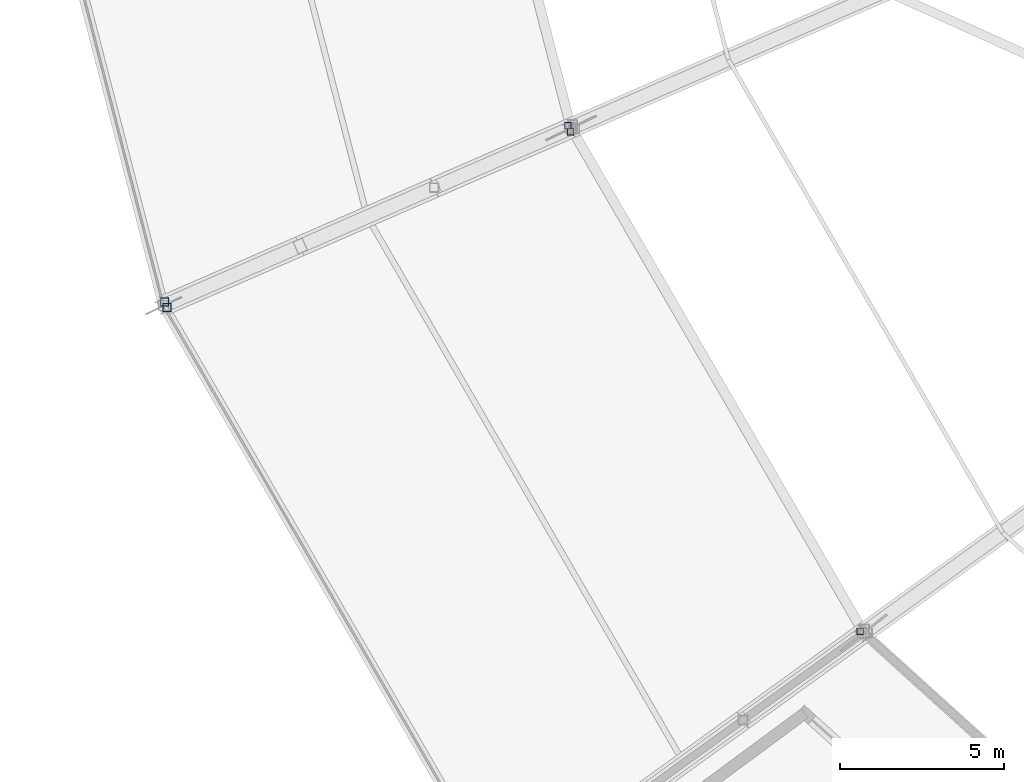
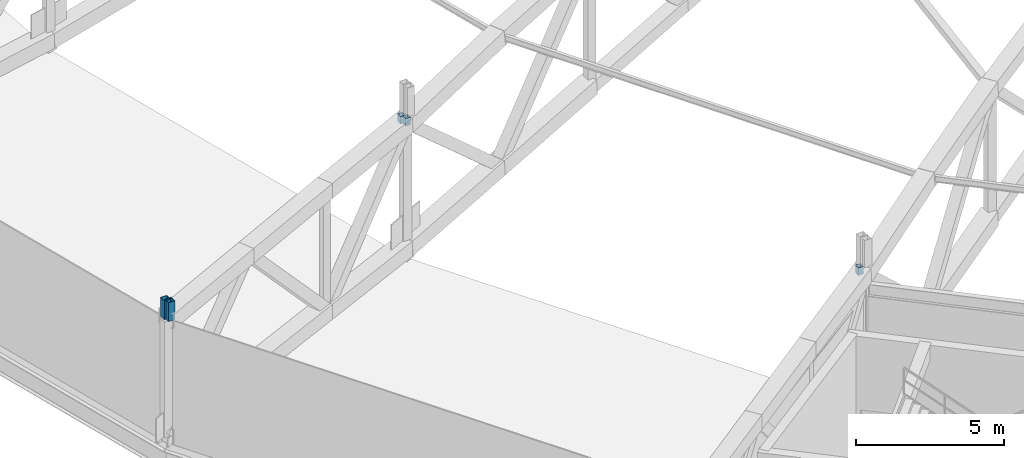
# One storey, part 93 of 162: 5 members.
"""IFC4 building model written with IfcOpenShell, lengths in metres."""

from ifc_helpers import new_model, si_unit, direction, frame, origin, origin_2d, place, context, subcontext, project, spatial, hollow_rectangle, extrude, material, material_profile, profile_set, type_object, element, save


model = new_model("IFC4")

# Units and contexts
model_context = context("Model", 3, precision=1e-05, world=origin(), true_north=direction((0.0, 1.0)))
body_context = subcontext(model_context, "Body", "Model", "MODEL_VIEW")
ifc_project = project(units=[si_unit("LENGTHUNIT", "METRE"), si_unit("AREAUNIT", "SQUARE_METRE"), si_unit("VOLUMEUNIT", "CUBIC_METRE"), si_unit("PLANEANGLEUNIT", "RADIAN"), si_unit("MASSUNIT", "GRAM", prefix="KILO")], contexts=[model_context])

# Site, building, storey
site_placement = place(None, origin())
site = spatial("IfcSite", under=ifc_project, at=site_placement, CompositionType="ELEMENT")
building_placement = place(site_placement, origin())
building = spatial("IfcBuilding", under=site, at=building_placement, Name="Kazemori Nagisa Stadium", CompositionType="ELEMENT")
storey_placement = place(building_placement, frame((0.0, 0.0, 36.719970703125)))
storey = spatial("IfcBuildingStorey", under=building, at=storey_placement, Name="RF", CompositionType="ELEMENT", Elevation=36.719970703125)

# Members
ifc_material = material(Name="Steel STKR490", Category="steel")
ifc_material_profile_1 = material_profile(ifc_material, hollow_rectangle(XDim=0.25, YDim=0.25, WallThickness=0.011962890625, at=origin_2d()), Name="SHS-250x250x12")
ifc_profile_set_1 = profile_set([ifc_material_profile_1], Name="Steel STKR490")
member_type_1 = type_object("IfcMemberType", Name="Member_ST-SHS250", PredefinedType="STUD", material=ifc_profile_set_1)
for number, where, z_axis, x_axis, name in (
    (1, (34.153076171875, 63.3642578125, 5.10009765625), (0.0, 0.0, 1.0), (1.0, 0.0, 0.0), "Canopy bearing stool B16-outer-2"),
    (2, (34.221923828125, 63.196044921875, 5.10009765625), (0.0, 0.0, 1.0), (1.0, 0.0, 0.0), "Canopy bearing stool B17-outer-1"),
):
    element("IfcMember", number, at=place(storey_placement, frame(where, z_axis=z_axis, x_axis=x_axis)), inside=storey, type_object=member_type_1, Name=name, PredefinedType="STUD", context=body_context, shape_type="SweptSolid", body=[
        extrude(hollow_rectangle(XDim=0.25, YDim=0.25, WallThickness=0.011962890625, at=origin_2d()), origin(), (0.0, 0.0, 1.0), 0.77490234375),
    ])
ifc_material_profile_2 = material_profile(ifc_material, hollow_rectangle(XDim=0.199951171875, YDim=0.199951171875, WallThickness=0.009033203125, at=origin_2d()), Name="SHS-200x200x9")
ifc_profile_set_2 = profile_set([ifc_material_profile_2], Name="Steel STKR490")
member_type_2 = type_object("IfcMemberType", Name="Member_TS-SHS200", PredefinedType="STRUT", material=ifc_profile_set_2)
for number, where, z_axis, x_axis, name in (
    (3, (46.46240234375, 68.74658203125, 5.56005859375), (0.0, 0.0, 1.0), (1.0, 0.0, 0.0), "Canopy bearing stool B16-outer-3"),
    (4, (55.383544921875, 53.3125, 5.56005859375), (0.0, 0.0, 1.0), (1.0, 0.0, 0.0), "Canopy bearing stool B17-outer-3"),
    (5, (46.5439453125, 68.556396484375, 5.56005859375), (0.0, 0.0, 1.0), (1.0, 0.0, 0.0), "Canopy bearing stool B17-outer-4"),
):
    element("IfcMember", number, at=place(storey_placement, frame(where, z_axis=z_axis, x_axis=x_axis)), inside=storey, type_object=member_type_2, Name=name, PredefinedType="STRUT", context=body_context, shape_type="SweptSolid", body=[
        extrude(hollow_rectangle(XDim=0.199951171875, YDim=0.199951171875, WallThickness=0.009033203125, at=origin_2d()), origin(), (0.0, 0.0, 1.0), 0.31494140625),
    ])

save(model, "model.ifc")
